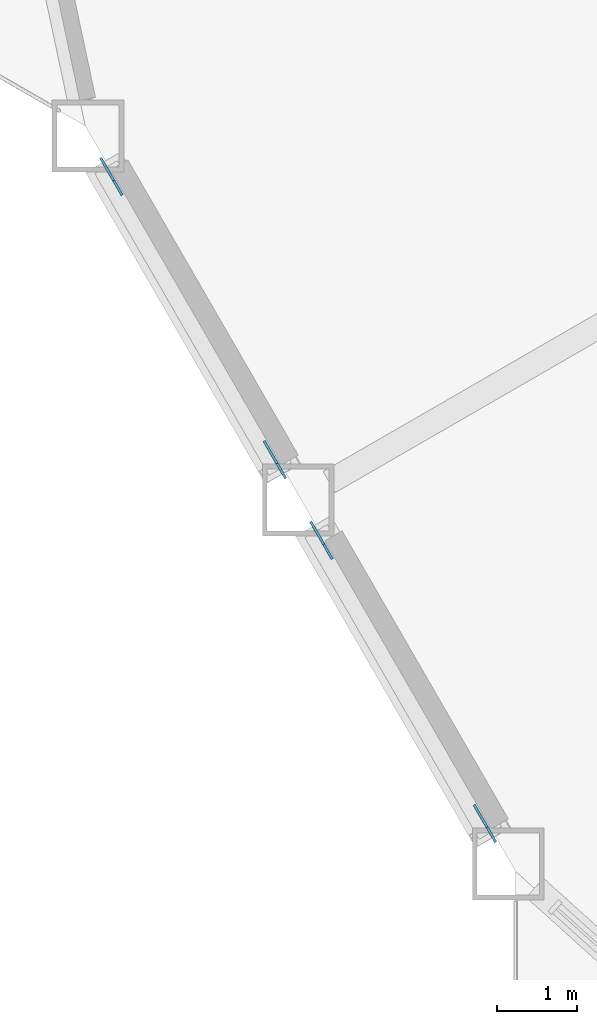
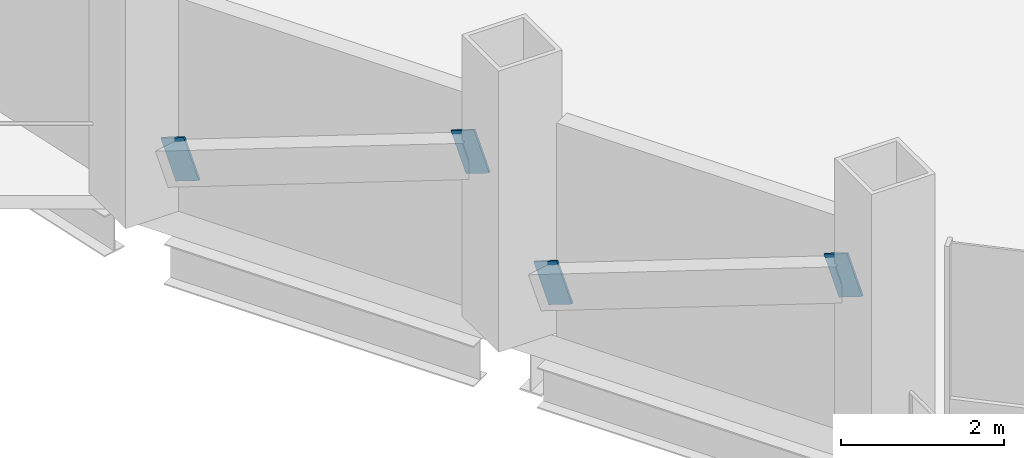
# One storey, part 14 of 21: 4 discrete accessories.
"""IFC4 building model written with IfcOpenShell, lengths in metres."""

import ifcopenshell
import ifcopenshell.guid

model = None  # the IFC model being written
_history = None  # IfcOwnerHistory: only IFC2X3 demands one
_inside = {}  # id of a spatial element -> (the spatial element, [elements in it])
_under = {}  # id of a project, library or spatial element -> (it, [spatial elements below it])
_declared = {}  # id of a project -> (the project, [libraries it declares])
_typed = {}  # id of a type object -> (the type object, [elements of that type])
_made_of = {}  # id of a material, layer set ... -> (it, [elements and type objects made of it])


def new_model(schema):
    """Start an empty IFC model of exactly this schema.

    Asked for "IFC4X3", IfcOpenShell would pick the latest addendum, in which some entities
    have other attributes; the version numbers below select the first issue.
    IFC2X3 requires an IfcOwnerHistory on every rooted entity: one is made here for all.
    """
    global model, _history
    if schema == "IFC4X3":
        model = ifcopenshell.file(schema_version=(4, 3, 0, 0))
    else:
        model = ifcopenshell.file(schema=schema)
    _inside.clear()
    _under.clear()
    _declared.clear()
    _typed.clear()
    _made_of.clear()
    _history = None
    if model.schema == "IFC2X3":
        org = make("IfcOrganization", Name="unknown")
        user = make(
            "IfcPersonAndOrganization",
            ThePerson=make("IfcPerson", FamilyName="unknown"),
            TheOrganization=org,
        )
        app = make(
            "IfcApplication",
            ApplicationDeveloper=org,
            Version="unknown",
            ApplicationFullName="unknown",
            ApplicationIdentifier="unknown",
        )
        _history = make(
            "IfcOwnerHistory",
            OwningUser=user,
            OwningApplication=app,
            ChangeAction="ADDED",
            CreationDate=0,
        )
    return model


def make(cls, **values):
    """One entity of the class cls with the attributes given. An attribute that is None is left unset."""
    return model.create_entity(
        cls, **{name: value for name, value in values.items() if value is not None}
    )


def rooted(cls, **values):
    """An entity with a GlobalId (a new one), such as an element, a storey or a relation."""
    return make(cls, GlobalId=ifcopenshell.guid.new(), OwnerHistory=_history, **values)


def si_unit(unit_type, name, prefix=None):
    """IfcSIUnit, for example si_unit("LENGTHUNIT", "METRE", prefix="MILLI")."""
    return make("IfcSIUnit", UnitType=unit_type, Prefix=prefix, Name=name)


def assignment(units):
    """IfcUnitAssignment: the units of a project."""
    return None if units is None else make("IfcUnitAssignment", Units=units)


def point(xyz):
    """IfcCartesianPoint."""
    return None if xyz is None else make("IfcCartesianPoint", Coordinates=xyz)


def direction(xyz):
    """IfcDirection."""
    return None if xyz is None else make("IfcDirection", DirectionRatios=xyz)


def frame(location, z_axis=None, x_axis=None):
    """IfcAxis2Placement3D, a coordinate frame: its origin and axes. An axis left out is left unset."""
    return make(
        "IfcAxis2Placement3D",
        Location=point(location),
        Axis=direction(z_axis),
        RefDirection=direction(x_axis),
    )


def frame_2d(location, x_axis=None):
    """IfcAxis2Placement2D, a coordinate frame in the plane: its origin and x axis."""
    return make(
        "IfcAxis2Placement2D", Location=point(location), RefDirection=direction(x_axis)
    )


def origin():
    """The frame at (0, 0, 0) with its axes left unset."""
    return frame((0.0, 0.0, 0.0))


def origin_2d():
    """The frame at (0, 0) in the plane with its x axis left unset."""
    return frame_2d((0.0, 0.0))


def place(relative_to, where):
    """IfcLocalPlacement: puts the frame where relative to a parent placement (None: the world)."""
    return make(
        "IfcLocalPlacement", PlacementRelTo=relative_to, RelativePlacement=where
    )


def context(
    kind, dimensions, precision=None, world=None, true_north=None, identifier=None
):
    """IfcGeometricRepresentationContext, for example the 3D "Model" context."""
    return make(
        "IfcGeometricRepresentationContext",
        ContextIdentifier=identifier,
        ContextType=kind,
        CoordinateSpaceDimension=dimensions,
        Precision=precision,
        WorldCoordinateSystem=world,
        TrueNorth=true_north,
    )


def subcontext(parent, identifier, kind, view, scale=None):
    """IfcGeometricRepresentationSubContext, for example "Body" below "Model"."""
    return make(
        "IfcGeometricRepresentationSubContext",
        ContextIdentifier=identifier,
        ContextType=kind,
        ParentContext=parent,
        TargetScale=scale,
        TargetView=view,
    )


def project(units=None, contexts=None):
    """IfcProject with its units and contexts."""
    return rooted(
        "IfcProject",
        Name="project",
        RepresentationContexts=contexts,
        UnitsInContext=assignment(units),
    )


def spatial(cls, under=None, at=None, **own):
    """A site, building, storey or space (cls), placed at a placement, below another one or the project."""
    s = rooted(cls, ObjectPlacement=at, **own)
    if under is not None:
        _under.setdefault(under.id(), (under, []))[1].append(s)
    return s


def profile(cls, at=None, kind="AREA", **sizes):
    """A parametric profile (cls). Its sizes go by their IFC names, for example OverallWidth=200.0."""
    return make(cls, ProfileType=kind, Position=at, **sizes)


def rectangle(**sizes):
    """IfcRectangleProfileDef."""
    return profile("IfcRectangleProfileDef", **sizes)


def extrude(swept, where, along, depth):
    """IfcExtrudedAreaSolid: the profile swept, set in the frame where, extruded along a direction by depth."""
    return make(
        "IfcExtrudedAreaSolid",
        SweptArea=swept,
        Position=where,
        ExtrudedDirection=direction(along),
        Depth=depth,
    )


def shape(context_of_items, identifier, shape_type, items):
    """IfcShapeRepresentation: the items that make up one representation, for example the "Body"."""
    return make(
        "IfcShapeRepresentation",
        ContextOfItems=context_of_items,
        RepresentationIdentifier=identifier,
        RepresentationType=shape_type,
        Items=items,
    )


def material(Name=None, Category=None):
    """IfcMaterial."""
    return make("IfcMaterial", Name=Name, Category=Category)


def material_profile(
    of_material, cross_section, Name=None, Category=None, Priority=None
):
    """IfcMaterialProfile: a cross section and its material."""
    return make(
        "IfcMaterialProfile",
        Name=Name,
        Material=of_material,
        Profile=cross_section,
        Priority=Priority,
        Category=Category,
    )


def profile_set(profiles, Name=None, composite=None):
    """IfcMaterialProfileSet."""
    return make(
        "IfcMaterialProfileSet",
        Name=Name,
        MaterialProfiles=profiles,
        CompositeProfile=composite,
    )


def made_of(thing, what):
    """Note that an element or type object is made of a material, layer set ...; save() writes the relation."""
    if what is not None:
        _made_of.setdefault(what.id(), (what, []))[1].append(thing)
    return thing


def type_object(cls, material=None, **own):
    """A type object (cls), such as IfcWallType, which elements share."""
    return made_of(rooted(cls, **own), material)


def element(
    cls,
    number,
    at=None,
    inside=None,
    cuts=None,
    type_object=None,
    material=None,
    context=None,
    identifier="Body",
    shape_type=None,
    held_by="IfcProductDefinitionShape",
    body=None,
    shapes=None,
    **own,
):
    """One element of the class cls, such as IfcWall. Its Tag is "e" and its number.

    at: its placement. inside: the storey or other place that contains it. cuts: it is an
    opening in that element (IfcRelVoidsElement). A single representation is given by context,
    identifier, shape_type and body (its items); several are given by shapes. held_by: the class
    of the entity that holds the representations. save() writes the other relations.
    """
    e = rooted(cls, Tag="e%d" % number, ObjectPlacement=at, **own)
    if body is not None:
        shapes = [shape(context, identifier, shape_type, body)]
    if shapes is not None:
        e.Representation = make(held_by, Representations=shapes)
    if inside is not None:
        _inside.setdefault(inside.id(), (inside, []))[1].append(e)
    if cuts is not None:
        rooted(
            "IfcRelVoidsElement", RelatingBuildingElement=cuts, RelatedOpeningElement=e
        )
    if type_object is not None:
        _typed.setdefault(type_object.id(), (type_object, []))[1].append(e)
    return made_of(e, material)


def aggregate(whole, parts):
    """IfcRelAggregates: a whole, such as a stair, and the parts it consists of."""
    return rooted("IfcRelAggregates", RelatingObject=whole, RelatedObjects=parts)


def save(model, path):
    """Write the relations noted so far, then the file.

    IfcRelAggregates (storeys below a building ...), IfcRelContainedInSpatialStructure (elements
    in a storey), IfcRelDefinesByType, IfcRelAssociatesMaterial and IfcRelDeclares: one each for
    every whole, place, type object, material and project.
    """
    for whole, parts in _under.values():
        aggregate(whole, parts)
    for where, things in _inside.values():
        rooted(
            "IfcRelContainedInSpatialStructure",
            RelatedElements=things,
            RelatingStructure=where,
        )
    for kind, things in _typed.values():
        rooted("IfcRelDefinesByType", RelatedObjects=things, RelatingType=kind)
    for what, things in _made_of.values():
        rooted("IfcRelAssociatesMaterial", RelatedObjects=things, RelatingMaterial=what)
    for by, libraries in _declared.values():
        rooted("IfcRelDeclares", RelatingContext=by, RelatedDefinitions=libraries)
    model.write(path)


model = new_model("IFC4")

# Units and contexts
model_context = context("Model", 3, precision=1e-05, world=origin(), true_north=direction((0.0, 1.0)))
body_context = subcontext(model_context, "Body", "Model", "MODEL_VIEW")
ifc_project = project(units=[si_unit("LENGTHUNIT", "METRE"), si_unit("AREAUNIT", "SQUARE_METRE"), si_unit("VOLUMEUNIT", "CUBIC_METRE"), si_unit("PLANEANGLEUNIT", "RADIAN"), si_unit("MASSUNIT", "GRAM", prefix="KILO")], contexts=[model_context])

# Site, building, storey
site_placement = place(None, origin())
site = spatial("IfcSite", under=ifc_project, at=site_placement, CompositionType="ELEMENT")
building_placement = place(site_placement, origin())
building = spatial("IfcBuilding", under=site, at=building_placement, Name="Cormorant Prow Tower", CompositionType="ELEMENT")
storey_placement = place(building_placement, frame((0.0, 0.0, 145.800048828125)))
storey = spatial("IfcBuildingStorey", under=building, at=storey_placement, Name="L31", CompositionType="ELEMENT", Elevation=145.800048828125)

# Discrete accessories
ifc_material = material(Name="Structural steel ASTM A500 Gr C", Category="steel")
ifc_material_profile = material_profile(ifc_material, rectangle(XDim=0.031982421875, YDim=0.60791015625, at=origin_2d()), Name="Gusset plate 32x608")
ifc_profile_set = profile_set([ifc_material_profile], Name="Structural steel ASTM A500 Gr C")
discrete_accessory_type = type_object("IfcDiscreteAccessoryType", Name="Gusset plate 32x608", PredefinedType="BRACKET", material=ifc_profile_set)
for number, where, z_axis, x_axis, name in (
    (1, (-30.39501953125, -12.328125, 0.88232421875), (-0.467903125124, 0.810288273314, -0.352844979601), (-0.865987003449, -0.500066505434, 0.0), "Gusset plate GP1 L31.WSW00.g0"),
    (2, (-28.5087890625, -15.59521484375, 2.306396484375), (0.467903125124, -0.810288273314, 0.352844979601), (0.865987003449, 0.500066505434, 0.0), "Gusset plate GP1 L31.WSW00.g1"),
):
    element("IfcDiscreteAccessory", number, at=place(storey_placement, frame(where, z_axis=z_axis, x_axis=x_axis)), inside=storey, type_object=discrete_accessory_type, Name=name, PredefinedType="BRACKET", context=body_context, shape_type="SweptSolid", body=[
        extrude(rectangle(XDim=0.031982421875, YDim=0.60791015625, at=origin_2d()), origin(), (0.0, 0.0, 1.0), 0.35009765625),
    ])
discrete_accessory_1_placement = place(storey_placement, frame((-27.76025390625, -16.8916015625, 0.88232421875), z_axis=(-0.468167615655, 0.810048586848, -0.353044431477), x_axis=(-0.865800459427, -0.500389412813, 0.0)))
element("IfcDiscreteAccessory", 3, at=discrete_accessory_1_placement, inside=storey, type_object=discrete_accessory_type, Name="Gusset plate GP1 L31.WSW01.g0", PredefinedType="BRACKET", context=body_context, shape_type="SweptSolid", body=[
    extrude(rectangle(XDim=0.031982421875, YDim=0.60791015625, at=origin_2d()), origin(), (0.0, 0.0, 1.0), 0.349853515625),
])
discrete_accessory_2_placement = place(storey_placement, frame((-25.8740234375, -20.158935546875, 2.306396484375), z_axis=(0.467903125124, -0.810288273314, 0.352844979601), x_axis=(0.865987003449, 0.500066505434, 0.0)))
element("IfcDiscreteAccessory", 4, at=discrete_accessory_2_placement, inside=storey, type_object=discrete_accessory_type, Name="Gusset plate GP1 L31.WSW01.g1", PredefinedType="BRACKET", context=body_context, shape_type="SweptSolid", body=[
    extrude(rectangle(XDim=0.031982421875, YDim=0.60791015625, at=origin_2d()), origin(), (0.0, 0.0, 1.0), 0.35009765625),
])

save(model, "model.ifc")
